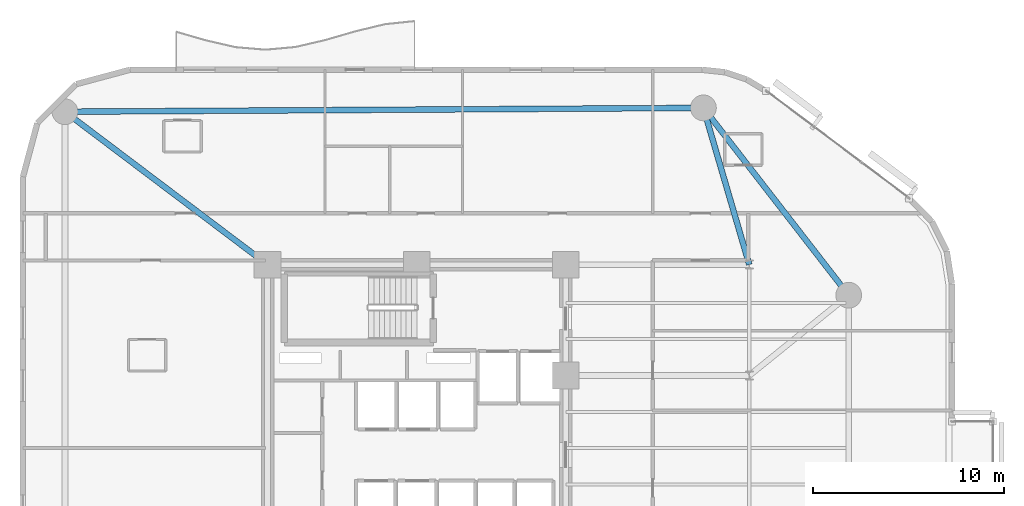
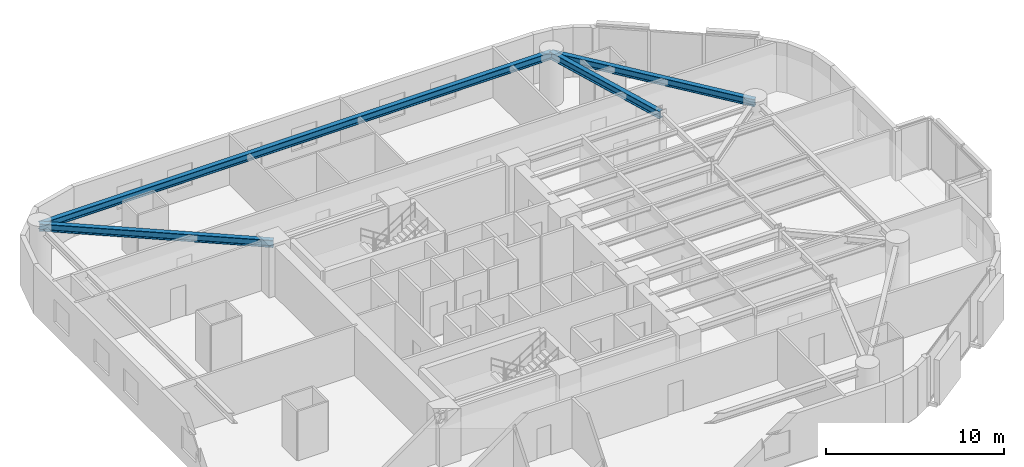
# One storey, part 5 of 13: 4 beams.
"""IFC4 building model written with IfcOpenShell, lengths in metres."""

from ifc_helpers import new_model, si_unit, direction, frame, origin, origin_2d, place, context, subcontext, project, spatial, i_section, extrude, material, material_profile, profile_set, type_object, element, save


model = new_model("IFC4")

# Units and contexts
model_context = context("Model", 3, precision=1e-05, world=origin(), true_north=direction((0.0, 1.0)))
body_context = subcontext(model_context, "Body", "Model", "MODEL_VIEW")
ifc_project = project(units=[si_unit("LENGTHUNIT", "METRE"), si_unit("AREAUNIT", "SQUARE_METRE"), si_unit("VOLUMEUNIT", "CUBIC_METRE"), si_unit("PLANEANGLEUNIT", "RADIAN"), si_unit("MASSUNIT", "GRAM", prefix="KILO")], contexts=[model_context])

# Site, building, storey
site_placement = place(None, origin())
site = spatial("IfcSite", under=ifc_project, at=site_placement, CompositionType="ELEMENT")
building_placement = place(site_placement, origin())
building = spatial("IfcBuilding", under=site, at=building_placement, Name="An Khanh Terracotta Commons", CompositionType="ELEMENT")
storey_placement = place(building_placement, frame((0.0, 0.0, 125.89990234375)))
storey = spatial("IfcBuildingStorey", under=building, at=storey_placement, Name="L33", CompositionType="ELEMENT", Elevation=125.89990234375)

# Beams
ifc_material = material(Name="Steel S355J2", Category="steel")
ifc_material_profile = material_profile(ifc_material, i_section(OverallWidth=0.300048828125, OverallDepth=0.5, WebThickness=0.014404296875, FlangeThickness=0.028076171875, FilletRadius=0.027099609375, at=origin_2d()), Name="HEB500")
ifc_profile_set = profile_set([ifc_material_profile], Name="Steel S355J2")
beam_type = type_object("IfcBeamType", Name="BM-HEB500", PredefinedType="BEAM", material=ifc_profile_set)
beam_1_placement = place(storey_placement, frame((52.0, 32.0, 3.150146484375), z_axis=(-0.612826529795, 0.790217466511, 0.0), x_axis=(-0.790217466511, -0.612826529795, 0.0)))
element("IfcBeam", 1, at=beam_1_placement, inside=storey, type_object=beam_type, Name="L33 Perimeter Ring Spandrel 4", PredefinedType="BEAM", context=body_context, shape_type="SweptSolid", body=[
    extrude(i_section(OverallWidth=0.300048828125, OverallDepth=0.5, WebThickness=0.014404296875, FlangeThickness=0.028076171875, FilletRadius=0.027099609375, at=origin_2d()), origin(), (0.0, 0.0, 1.0), 12.401611328125),
])
beam_2_placement = place(storey_placement, frame((44.39990234375, 41.800048828125, 3.150146484375), z_axis=(-0.999982080914, -0.005986472262, 0.0), x_axis=(0.005986472262, -0.999982080914, 0.0)))
element("IfcBeam", 2, at=beam_2_placement, inside=storey, type_object=beam_type, Name="L33 Perimeter Ring Spandrel 5", PredefinedType="BEAM", context=body_context, shape_type="SweptSolid", body=[
    extrude(i_section(OverallWidth=0.300048828125, OverallDepth=0.5, WebThickness=0.014404296875, FlangeThickness=0.028076171875, FilletRadius=0.027099609375, at=origin_2d()), origin(), (0.0, 0.0, 1.0), 33.400390625),
])
beam_3_placement = place(storey_placement, frame((44.39990234375, 41.800048828125, 3.150146484375), z_axis=(0.280916085823, -0.959732333896, 0.0), x_axis=(0.959732333896, 0.280916085823, 0.0)))
element("IfcBeam", 3, at=beam_3_placement, inside=storey, type_object=beam_type, Name="L33 Mega-Column Tie Girder 5", PredefinedType="BEAM", context=body_context, shape_type="SweptSolid", body=[
    extrude(i_section(OverallWidth=0.300048828125, OverallDepth=0.5, WebThickness=0.014404296875, FlangeThickness=0.028076171875, FilletRadius=0.027099609375, at=origin_2d()), origin(), (0.0, 0.0, 1.0), 8.5439453125),
])
beam_4_placement = place(storey_placement, frame((11.0, 41.60009765625, 3.150146484375), z_axis=(0.798191818888, -0.602403370061, 0.0), x_axis=(0.602403370061, 0.798191818888, 0.0)))
element("IfcBeam", 4, at=beam_4_placement, inside=storey, type_object=beam_type, Name="L33 Mega-Column Tie Girder 6", PredefinedType="BEAM", context=body_context, shape_type="SweptSolid", body=[
    extrude(i_section(OverallWidth=0.300048828125, OverallDepth=0.5, WebThickness=0.014404296875, FlangeThickness=0.028076171875, FilletRadius=0.027099609375, at=origin_2d()), origin(), (0.0, 0.0, 1.0), 13.280029296875),
])

save(model, "model.ifc")
